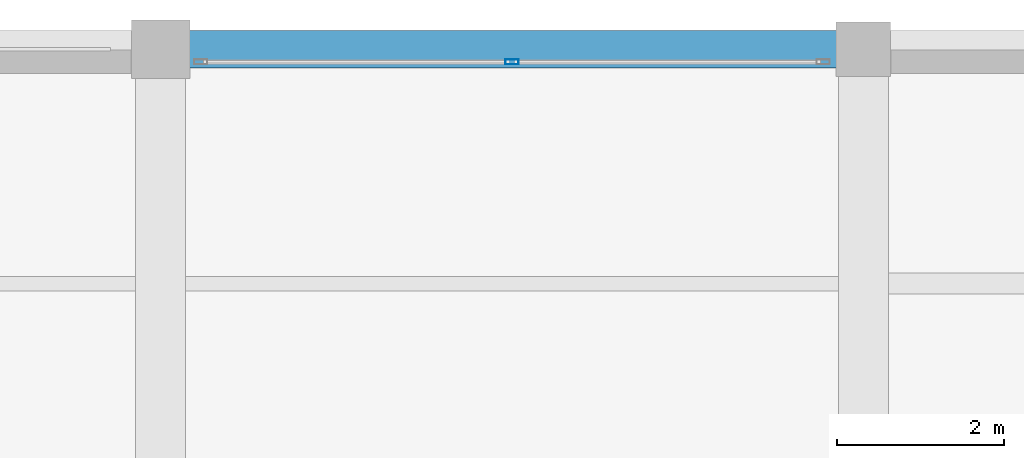
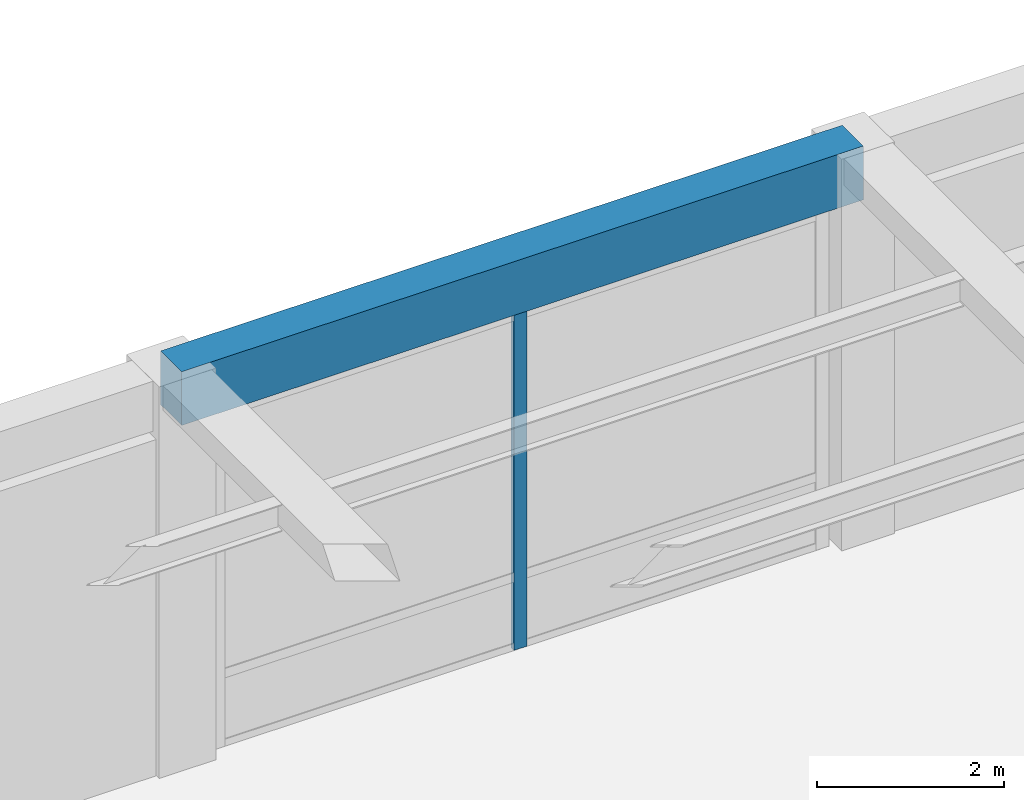
# One storey, part 61 of 96: 1 beam, 1 member, 1 element without a shape of its own.
"""IFC4 building model written with IfcOpenShell, lengths in metres."""

import ifcopenshell
import ifcopenshell.guid

model = None  # the IFC model being written
_history = None  # IfcOwnerHistory: only IFC2X3 demands one
_inside = {}  # id of a spatial element -> (the spatial element, [elements in it])
_under = {}  # id of a project, library or spatial element -> (it, [spatial elements below it])
_declared = {}  # id of a project -> (the project, [libraries it declares])
_typed = {}  # id of a type object -> (the type object, [elements of that type])
_made_of = {}  # id of a material, layer set ... -> (it, [elements and type objects made of it])


def new_model(schema):
    """Start an empty IFC model of exactly this schema.

    Asked for "IFC4X3", IfcOpenShell would pick the latest addendum, in which some entities
    have other attributes; the version numbers below select the first issue.
    IFC2X3 requires an IfcOwnerHistory on every rooted entity: one is made here for all.
    """
    global model, _history
    if schema == "IFC4X3":
        model = ifcopenshell.file(schema_version=(4, 3, 0, 0))
    else:
        model = ifcopenshell.file(schema=schema)
    _inside.clear()
    _under.clear()
    _declared.clear()
    _typed.clear()
    _made_of.clear()
    _history = None
    if model.schema == "IFC2X3":
        org = make("IfcOrganization", Name="unknown")
        user = make(
            "IfcPersonAndOrganization",
            ThePerson=make("IfcPerson", FamilyName="unknown"),
            TheOrganization=org,
        )
        app = make(
            "IfcApplication",
            ApplicationDeveloper=org,
            Version="unknown",
            ApplicationFullName="unknown",
            ApplicationIdentifier="unknown",
        )
        _history = make(
            "IfcOwnerHistory",
            OwningUser=user,
            OwningApplication=app,
            ChangeAction="ADDED",
            CreationDate=0,
        )
    return model


def make(cls, **values):
    """One entity of the class cls with the attributes given. An attribute that is None is left unset."""
    return model.create_entity(
        cls, **{name: value for name, value in values.items() if value is not None}
    )


def rooted(cls, **values):
    """An entity with a GlobalId (a new one), such as an element, a storey or a relation."""
    return make(cls, GlobalId=ifcopenshell.guid.new(), OwnerHistory=_history, **values)


def si_unit(unit_type, name, prefix=None):
    """IfcSIUnit, for example si_unit("LENGTHUNIT", "METRE", prefix="MILLI")."""
    return make("IfcSIUnit", UnitType=unit_type, Prefix=prefix, Name=name)


def assignment(units):
    """IfcUnitAssignment: the units of a project."""
    return None if units is None else make("IfcUnitAssignment", Units=units)


def point(xyz):
    """IfcCartesianPoint."""
    return None if xyz is None else make("IfcCartesianPoint", Coordinates=xyz)


def direction(xyz):
    """IfcDirection."""
    return None if xyz is None else make("IfcDirection", DirectionRatios=xyz)


def frame(location, z_axis=None, x_axis=None):
    """IfcAxis2Placement3D, a coordinate frame: its origin and axes. An axis left out is left unset."""
    return make(
        "IfcAxis2Placement3D",
        Location=point(location),
        Axis=direction(z_axis),
        RefDirection=direction(x_axis),
    )


def frame_2d(location, x_axis=None):
    """IfcAxis2Placement2D, a coordinate frame in the plane: its origin and x axis."""
    return make(
        "IfcAxis2Placement2D", Location=point(location), RefDirection=direction(x_axis)
    )


def origin():
    """The frame at (0, 0, 0) with its axes left unset."""
    return frame((0.0, 0.0, 0.0))


def origin_2d():
    """The frame at (0, 0) in the plane with its x axis left unset."""
    return frame_2d((0.0, 0.0))


def place(relative_to, where):
    """IfcLocalPlacement: puts the frame where relative to a parent placement (None: the world)."""
    return make(
        "IfcLocalPlacement", PlacementRelTo=relative_to, RelativePlacement=where
    )


def context(
    kind, dimensions, precision=None, world=None, true_north=None, identifier=None
):
    """IfcGeometricRepresentationContext, for example the 3D "Model" context."""
    return make(
        "IfcGeometricRepresentationContext",
        ContextIdentifier=identifier,
        ContextType=kind,
        CoordinateSpaceDimension=dimensions,
        Precision=precision,
        WorldCoordinateSystem=world,
        TrueNorth=true_north,
    )


def subcontext(parent, identifier, kind, view, scale=None):
    """IfcGeometricRepresentationSubContext, for example "Body" below "Model"."""
    return make(
        "IfcGeometricRepresentationSubContext",
        ContextIdentifier=identifier,
        ContextType=kind,
        ParentContext=parent,
        TargetScale=scale,
        TargetView=view,
    )


def project(units=None, contexts=None):
    """IfcProject with its units and contexts."""
    return rooted(
        "IfcProject",
        Name="project",
        RepresentationContexts=contexts,
        UnitsInContext=assignment(units),
    )


def spatial(cls, under=None, at=None, **own):
    """A site, building, storey or space (cls), placed at a placement, below another one or the project."""
    s = rooted(cls, ObjectPlacement=at, **own)
    if under is not None:
        _under.setdefault(under.id(), (under, []))[1].append(s)
    return s


def profile(cls, at=None, kind="AREA", **sizes):
    """A parametric profile (cls). Its sizes go by their IFC names, for example OverallWidth=200.0."""
    return make(cls, ProfileType=kind, Position=at, **sizes)


def rectangle(**sizes):
    """IfcRectangleProfileDef."""
    return profile("IfcRectangleProfileDef", **sizes)


def hollow_rectangle(**sizes):
    """IfcRectangleHollowProfileDef."""
    return profile("IfcRectangleHollowProfileDef", **sizes)


def extrude(swept, where, along, depth):
    """IfcExtrudedAreaSolid: the profile swept, set in the frame where, extruded along a direction by depth."""
    return make(
        "IfcExtrudedAreaSolid",
        SweptArea=swept,
        Position=where,
        ExtrudedDirection=direction(along),
        Depth=depth,
    )


def shape(context_of_items, identifier, shape_type, items):
    """IfcShapeRepresentation: the items that make up one representation, for example the "Body"."""
    return make(
        "IfcShapeRepresentation",
        ContextOfItems=context_of_items,
        RepresentationIdentifier=identifier,
        RepresentationType=shape_type,
        Items=items,
    )


def material(Name=None, Category=None):
    """IfcMaterial."""
    return make("IfcMaterial", Name=Name, Category=Category)


def material_profile(
    of_material, cross_section, Name=None, Category=None, Priority=None
):
    """IfcMaterialProfile: a cross section and its material."""
    return make(
        "IfcMaterialProfile",
        Name=Name,
        Material=of_material,
        Profile=cross_section,
        Priority=Priority,
        Category=Category,
    )


def profile_set(profiles, Name=None, composite=None):
    """IfcMaterialProfileSet."""
    return make(
        "IfcMaterialProfileSet",
        Name=Name,
        MaterialProfiles=profiles,
        CompositeProfile=composite,
    )


def made_of(thing, what):
    """Note that an element or type object is made of a material, layer set ...; save() writes the relation."""
    if what is not None:
        _made_of.setdefault(what.id(), (what, []))[1].append(thing)
    return thing


def type_object(cls, material=None, **own):
    """A type object (cls), such as IfcWallType, which elements share."""
    return made_of(rooted(cls, **own), material)


def element(
    cls,
    number,
    at=None,
    inside=None,
    cuts=None,
    type_object=None,
    material=None,
    context=None,
    identifier="Body",
    shape_type=None,
    held_by="IfcProductDefinitionShape",
    body=None,
    shapes=None,
    **own,
):
    """One element of the class cls, such as IfcWall. Its Tag is "e" and its number.

    at: its placement. inside: the storey or other place that contains it. cuts: it is an
    opening in that element (IfcRelVoidsElement). A single representation is given by context,
    identifier, shape_type and body (its items); several are given by shapes. held_by: the class
    of the entity that holds the representations. save() writes the other relations.
    """
    e = rooted(cls, Tag="e%d" % number, ObjectPlacement=at, **own)
    if body is not None:
        shapes = [shape(context, identifier, shape_type, body)]
    if shapes is not None:
        e.Representation = make(held_by, Representations=shapes)
    if inside is not None:
        _inside.setdefault(inside.id(), (inside, []))[1].append(e)
    if cuts is not None:
        rooted(
            "IfcRelVoidsElement", RelatingBuildingElement=cuts, RelatedOpeningElement=e
        )
    if type_object is not None:
        _typed.setdefault(type_object.id(), (type_object, []))[1].append(e)
    return made_of(e, material)


def aggregate(whole, parts):
    """IfcRelAggregates: a whole, such as a stair, and the parts it consists of."""
    return rooted("IfcRelAggregates", RelatingObject=whole, RelatedObjects=parts)


def save(model, path):
    """Write the relations noted so far, then the file.

    IfcRelAggregates (storeys below a building ...), IfcRelContainedInSpatialStructure (elements
    in a storey), IfcRelDefinesByType, IfcRelAssociatesMaterial and IfcRelDeclares: one each for
    every whole, place, type object, material and project.
    """
    for whole, parts in _under.values():
        aggregate(whole, parts)
    for where, things in _inside.values():
        rooted(
            "IfcRelContainedInSpatialStructure",
            RelatedElements=things,
            RelatingStructure=where,
        )
    for kind, things in _typed.values():
        rooted("IfcRelDefinesByType", RelatedObjects=things, RelatingType=kind)
    for what, things in _made_of.values():
        rooted("IfcRelAssociatesMaterial", RelatedObjects=things, RelatingMaterial=what)
    for by, libraries in _declared.values():
        rooted("IfcRelDeclares", RelatingContext=by, RelatedDefinitions=libraries)
    model.write(path)


model = new_model("IFC4")

# Units and contexts
model_context = context("Model", 3, precision=1e-05, world=origin(), true_north=direction((0.0, 1.0)))
body_context = subcontext(model_context, "Body", "Model", "MODEL_VIEW")
ifc_project = project(units=[si_unit("LENGTHUNIT", "METRE"), si_unit("AREAUNIT", "SQUARE_METRE"), si_unit("VOLUMEUNIT", "CUBIC_METRE"), si_unit("PLANEANGLEUNIT", "RADIAN"), si_unit("MASSUNIT", "GRAM", prefix="KILO")], contexts=[model_context])

# Site, building, storey
site_placement = place(None, origin())
site = spatial("IfcSite", under=ifc_project, at=site_placement, CompositionType="ELEMENT")
building_placement = place(site_placement, origin())
building = spatial("IfcBuilding", under=site, at=building_placement, Name="Almacenes y Pasaje Nevantli", CompositionType="ELEMENT")
storey_placement = place(building_placement, frame((0.0, 0.0, 6.0)))
storey = spatial("IfcBuildingStorey", under=building, at=storey_placement, Name="L02", CompositionType="ELEMENT", Elevation=6.0)

# Beam
ifc_material_1 = material(Name="Concrete C35/45", Category="concrete")
ifc_material_profile_1 = material_profile(ifc_material_1, rectangle(XDim=0.449951171875, YDim=0.699951171875, at=origin_2d()), Name="RC-BM-450x700")
ifc_profile_set_1 = profile_set([ifc_material_profile_1], Name="Concrete C35/45")
beam_type = type_object("IfcBeamType", Name="BM-RC-450x700", PredefinedType="SPANDREL", material=ifc_profile_set_1)
beam_placement = place(storey_placement, frame((134.39990234375, 117.60009765625, 4.75), z_axis=(1.0, 0.0, 0.0), x_axis=(0.0, 1.0, 0.0)))
element("IfcBeam", 1, at=beam_placement, inside=storey, type_object=beam_type, Name="L02 East-West Reinforced Concrete Beam #1962", PredefinedType="SPANDREL", context=body_context, shape_type="SweptSolid", body=[
    extrude(rectangle(XDim=0.449951171875, YDim=0.699951171875, at=origin_2d()), origin(), (0.0, 0.0, 1.0), 8.400146484375),
])

# Curtain wall, member
ifc_material_2 = material(Name="Thermally Broken Aluminium and Low-E Glass", Category="aluminium")
curtain_wall_type = type_object("IfcCurtainWallType", Name="CW-STF-BLVD", PredefinedType="USERDEFINED", material=ifc_material_2)
curtain_wall_placement = place(storey_placement, origin())
curtain_wall = element("IfcCurtainWall", 2, at=curtain_wall_placement, inside=storey, type_object=curtain_wall_type, Name="L02 North Boulevard Retail Curtain Wall Bay 17", ObjectType="STOREFRONT GLAZING", PredefinedType="USERDEFINED")
ifc_material_3 = material(Name="Thermally Broken Anodized Aluminium", Category="aluminium")
ifc_material_profile_2 = material_profile(ifc_material_3, hollow_rectangle(XDim=0.06005859375, YDim=0.159912109375, WallThickness=0.00390625, at=origin_2d()), Name="ALU-MUL-60x160")
ifc_profile_set_2 = profile_set([ifc_material_profile_2], Name="Thermally Broken Anodized Aluminium")
member_type = type_object("IfcMemberType", Name="CW-MUL-180", PredefinedType="MULLION", material=ifc_profile_set_2)
member_placement = place(storey_placement, frame((138.60009765625, 117.449951171875, 0.0), z_axis=(0.0, 0.0, 1.0), x_axis=(0.0, 1.0, 0.0)))
member = element("IfcMember", 3, at=member_placement, type_object=member_type, Name="CW-L02-010 mullion 2", PredefinedType="MULLION", context=body_context, shape_type="SweptSolid", body=[
    extrude(hollow_rectangle(XDim=0.06005859375, YDim=0.159912109375, WallThickness=0.00390625, at=origin_2d()), origin(), (0.0, 0.0, 1.0), 4.3798828125),
])
aggregate(curtain_wall, [member])

save(model, "model.ifc")
